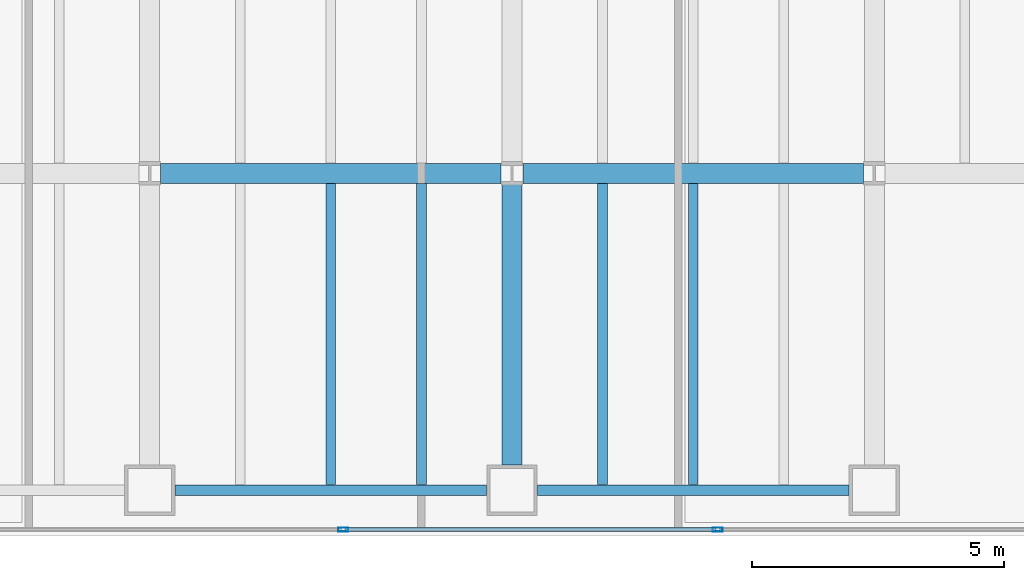
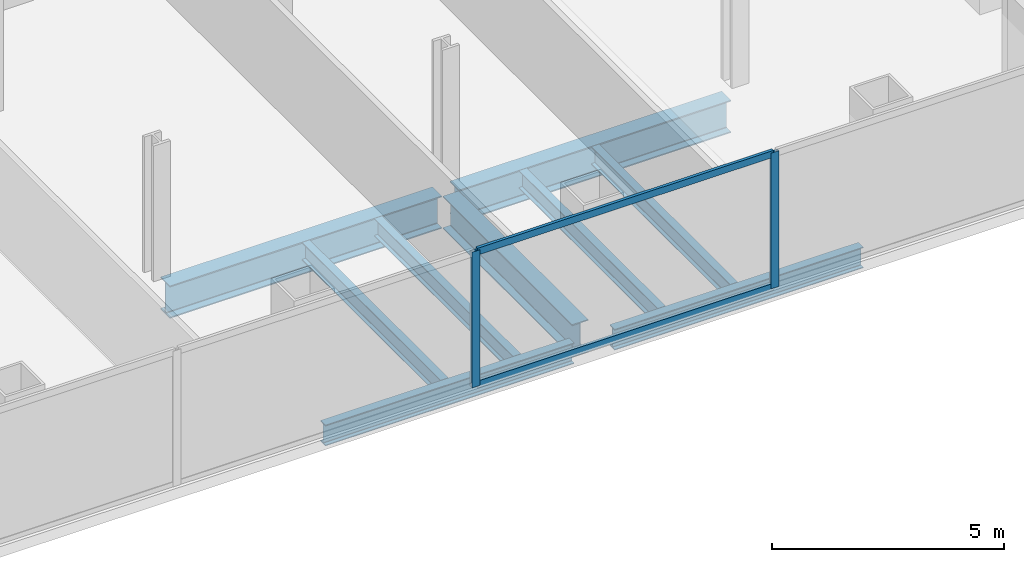
# One storey, part 7 of 24: 9 beams, 4 members, 1 element without a shape of its own.
"""IFC4 building model written with IfcOpenShell, lengths in metres."""

from ifc_helpers import new_model, si_unit, direction, frame, origin, origin_2d, place, context, subcontext, project, spatial, hollow_rectangle, i_section, extrude, material, material_profile, profile_set, type_object, element, aggregate, save


model = new_model("IFC4")

# Units and contexts
model_context = context("Model", 3, precision=1e-05, world=origin(), true_north=direction((0.0, 1.0)))
body_context = subcontext(model_context, "Body", "Model", "MODEL_VIEW")
ifc_project = project(units=[si_unit("LENGTHUNIT", "METRE"), si_unit("AREAUNIT", "SQUARE_METRE"), si_unit("VOLUMEUNIT", "CUBIC_METRE"), si_unit("PLANEANGLEUNIT", "RADIAN"), si_unit("MASSUNIT", "GRAM", prefix="KILO")], contexts=[model_context])

# Site, building, storey
site_placement = place(None, origin())
site = spatial("IfcSite", under=ifc_project, at=site_placement, CompositionType="ELEMENT")
building_placement = place(site_placement, origin())
building = spatial("IfcBuilding", under=site, at=building_placement, Name="Cobrela Telecom Tower", CompositionType="ELEMENT")
storey_placement = place(building_placement, frame((0.0, 0.0, 69.64990234375)))
storey = spatial("IfcBuildingStorey", under=building, at=storey_placement, Name="L17", CompositionType="ELEMENT", Elevation=69.64990234375)

# Beams
ifc_material_1 = material(Name="Steel ASTM A992 Grade 50", Category="steel")
ifc_material_profile_1 = material_profile(ifc_material_1, i_section(OverallWidth=0.39892578125, OverallDepth=0.85595703125, WebThickness=0.018310546875, FlangeThickness=0.029296875, FilletRadius=0.02001953125, at=origin_2d()), Name="W33X201")
ifc_profile_set_1 = profile_set([ifc_material_profile_1], Name="Steel ASTM A992 Grade 50")
beam_type_1 = type_object("IfcBeamType", Name="BM-GIRD-03", PredefinedType="USERDEFINED", material=ifc_profile_set_1)
for number, where, z_axis, x_axis, name in (
    (1, (29.01611328125, 7.199951171875, -0.7080078125), (1.0, 0.0, 0.0), (0.0, 1.0, 0.0), "L17 Primary Girder X10"),
    (2, (36.216064453125, 7.199951171875, -0.7080078125), (1.0, 0.0, 0.0), (0.0, 1.0, 0.0), "L17 Primary Girder X11"),
):
    element("IfcBeam", number, at=place(storey_placement, frame(where, z_axis=z_axis, x_axis=x_axis)), inside=storey, type_object=beam_type_1, Name=name, ObjectType="GIRDER", PredefinedType="USERDEFINED", context=body_context, shape_type="SweptSolid", body=[
        extrude(i_section(OverallWidth=0.39892578125, OverallDepth=0.85595703125, WebThickness=0.018310546875, FlangeThickness=0.029296875, FilletRadius=0.02001953125, at=origin_2d()), origin(), (0.0, 0.0, 1.0), 6.767822265625),
    ])
beam_placement = place(storey_placement, frame((36.0, 1.405029296875, -0.7080078125), z_axis=(0.0, 1.0, 0.0), x_axis=(-1.0, 0.0, 0.0)))
element("IfcBeam", 3, at=beam_placement, inside=storey, type_object=beam_type_1, Name="L17 Primary Girder Y50", ObjectType="GIRDER", PredefinedType="USERDEFINED", context=body_context, shape_type="SweptSolid", body=[
    extrude(i_section(OverallWidth=0.39892578125, OverallDepth=0.85595703125, WebThickness=0.018310546875, FlangeThickness=0.029296875, FilletRadius=0.02001953125, at=origin_2d()), origin(), (0.0, 0.0, 1.0), 5.578857421875),
])
ifc_material_profile_2 = material_profile(ifc_material_1, i_section(OverallWidth=0.193115234375, OverallDepth=0.467041015625, WebThickness=0.011474609375, FlangeThickness=0.01904296875, FilletRadius=0.012939453125, at=origin_2d()), Name="W18X65")
ifc_profile_set_2 = profile_set([ifc_material_profile_2], Name="Steel ASTM A992 Grade 50")
beam_type_2 = type_object("IfcBeamType", Name="BM-JOIST-03", PredefinedType="JOIST", material=ifc_profile_set_2)
for number, where, z_axis, x_axis, name in (
    (4, (32.39990234375, 1.011474609375, -0.513427734375), (0.0, 1.0, 0.0), (-1.0, 0.0, 0.0), "L17 Secondary Composite Floor Beam J44"),
    (5, (34.199951171875, 1.011474609375, -0.513427734375), (0.0, 1.0, 0.0), (-1.0, 0.0, 0.0), "L17 Secondary Composite Floor Beam J47"),
    (6, (37.800048828125, 1.011474609375, -0.513427734375), (0.0, 1.0, 0.0), (-1.0, 0.0, 0.0), "L17 Secondary Composite Floor Beam J50"),
    (7, (39.60009765625, 1.011474609375, -0.513427734375), (0.0, 1.0, 0.0), (-1.0, 0.0, 0.0), "L17 Secondary Composite Floor Beam J53"),
):
    element("IfcBeam", number, at=place(storey_placement, frame(where, z_axis=z_axis, x_axis=x_axis)), inside=storey, type_object=beam_type_2, Name=name, PredefinedType="JOIST", context=body_context, shape_type="SweptSolid", body=[
        extrude(i_section(OverallWidth=0.193115234375, OverallDepth=0.467041015625, WebThickness=0.011474609375, FlangeThickness=0.01904296875, FilletRadius=0.012939453125, at=origin_2d()), origin(), (0.0, 0.0, 1.0), 5.984130859375),
    ])
ifc_material_profile_3 = material_profile(ifc_material_1, i_section(OverallWidth=0.212890625, OverallDepth=0.549072265625, WebThickness=0.0146484375, FlangeThickness=0.023681640625, FilletRadius=0.013916015625, at=origin_2d()), Name="W21X93")
ifc_profile_set_3 = profile_set([ifc_material_profile_3], Name="Steel ASTM A992 Grade 50")
beam_type_3 = type_object("IfcBeamType", Name="BM-SPAND-03", PredefinedType="SPANDREL", material=ifc_profile_set_3)
for number, where, z_axis, x_axis, name in (
    (8, (29.304931640625, 0.89990234375, -0.554443359375), (1.0, 0.0, 0.0), (0.0, 1.0, 0.0), "L17 Perimeter Spandrel X04"),
    (9, (36.5048828125, 0.89990234375, -0.554443359375), (1.0, 0.0, 0.0), (0.0, 1.0, 0.0), "L17 Perimeter Spandrel X05"),
):
    element("IfcBeam", number, at=place(storey_placement, frame(where, z_axis=z_axis, x_axis=x_axis)), inside=storey, type_object=beam_type_3, Name=name, PredefinedType="SPANDREL", context=body_context, shape_type="SweptSolid", body=[
        extrude(i_section(OverallWidth=0.212890625, OverallDepth=0.549072265625, WebThickness=0.0146484375, FlangeThickness=0.023681640625, FilletRadius=0.013916015625, at=origin_2d()), origin(), (0.0, 0.0, 1.0), 6.190185546875),
    ])

# Curtain wall, members
ifc_material_2 = material(Name="Anodized Bronze Aluminium 6063-T6", Category="aluminium")
curtain_wall_type = type_object("IfcCurtainWallType", Name="CW-SYS-DATA", PredefinedType="USERDEFINED", material=ifc_material_2)
curtain_wall_placement = place(storey_placement, origin())
curtain_wall = element("IfcCurtainWall", 10, at=curtain_wall_placement, inside=storey, type_object=curtain_wall_type, Name="L17 Unitised Bronze Curtain Wall 17", ObjectType="UNITISED CURTAIN WALL", PredefinedType="USERDEFINED")
ifc_material_profile_4 = material_profile(ifc_material_2, hollow_rectangle(XDim=0.080078125, YDim=0.199951171875, WallThickness=0.00390625, at=origin_2d()), Name="ALU 80x200x4")
ifc_profile_set_4 = profile_set([ifc_material_profile_4], Name="Anodized Bronze Aluminium 6063-T6")
member_type_1 = type_object("IfcMemberType", Name="CW-SYS-DATA-MUL", PredefinedType="MULLION", material=ifc_profile_set_4)
member_1_placement = place(storey_placement, frame((40.086669921875, 0.1201171875, 0.0), z_axis=(0.0, 0.0, 1.0), x_axis=(0.0, -1.0, 0.0)))
member_1 = element("IfcMember", 11, at=member_1_placement, type_object=member_type_1, Name="CW-DATA mullion 2", PredefinedType="MULLION", context=body_context, shape_type="SweptSolid", body=[
    extrude(hollow_rectangle(XDim=0.080078125, YDim=0.199951171875, WallThickness=0.00390625, at=origin_2d()), origin(), (0.0, 0.0, 1.0), 3.570068359375),
])
member_2_placement = place(storey_placement, frame((32.643310546875, 0.1201171875, 0.0), z_axis=(0.0, 0.0, 1.0), x_axis=(0.0, -1.0, 0.0)))
member_2 = element("IfcMember", 12, at=member_2_placement, type_object=member_type_1, Name="CW-DATA mullion 3", PredefinedType="MULLION", context=body_context, shape_type="SweptSolid", body=[
    extrude(hollow_rectangle(XDim=0.080078125, YDim=0.199951171875, WallThickness=0.00390625, at=origin_2d()), origin(), (0.0, 0.0, 1.0), 3.570068359375),
])
ifc_material_profile_5 = material_profile(ifc_material_2, hollow_rectangle(XDim=0.074951171875, YDim=0.179931640625, WallThickness=0.00390625, at=origin_2d()), Name="ALU 75x180x4")
ifc_profile_set_5 = profile_set([ifc_material_profile_5], Name="Anodized Bronze Aluminium 6063-T6")
member_type_2 = type_object("IfcMemberType", Name="CW-SYS-DATA-TRN", PredefinedType="USERDEFINED", material=ifc_profile_set_5)
member_3_placement = place(storey_placement, frame((40.046630859375, 0.1201171875, 0.03759765625), z_axis=(-1.0, 0.0, 0.0), x_axis=(0.0, -1.0, 0.0)))
member_3 = element("IfcMember", 13, at=member_3_placement, type_object=member_type_2, Name="CW-DATA transom 2.1", ObjectType="TRANSOM", PredefinedType="USERDEFINED", context=body_context, shape_type="SweptSolid", body=[
    extrude(hollow_rectangle(XDim=0.074951171875, YDim=0.179931640625, WallThickness=0.00390625, at=origin_2d()), origin(), (0.0, 0.0, 1.0), 7.36328125),
])
member_4_placement = place(storey_placement, frame((40.046630859375, 0.1201171875, 3.53271484375), z_axis=(-1.0, 0.0, 0.0), x_axis=(0.0, -1.0, 0.0)))
member_4 = element("IfcMember", 14, at=member_4_placement, type_object=member_type_2, Name="CW-DATA transom 2.2", ObjectType="TRANSOM", PredefinedType="USERDEFINED", context=body_context, shape_type="SweptSolid", body=[
    extrude(hollow_rectangle(XDim=0.074951171875, YDim=0.179931640625, WallThickness=0.00390625, at=origin_2d()), origin(), (0.0, 0.0, 1.0), 7.36328125),
])
aggregate(curtain_wall, [member_1, member_2, member_3, member_4])

save(model, "model.ifc")
